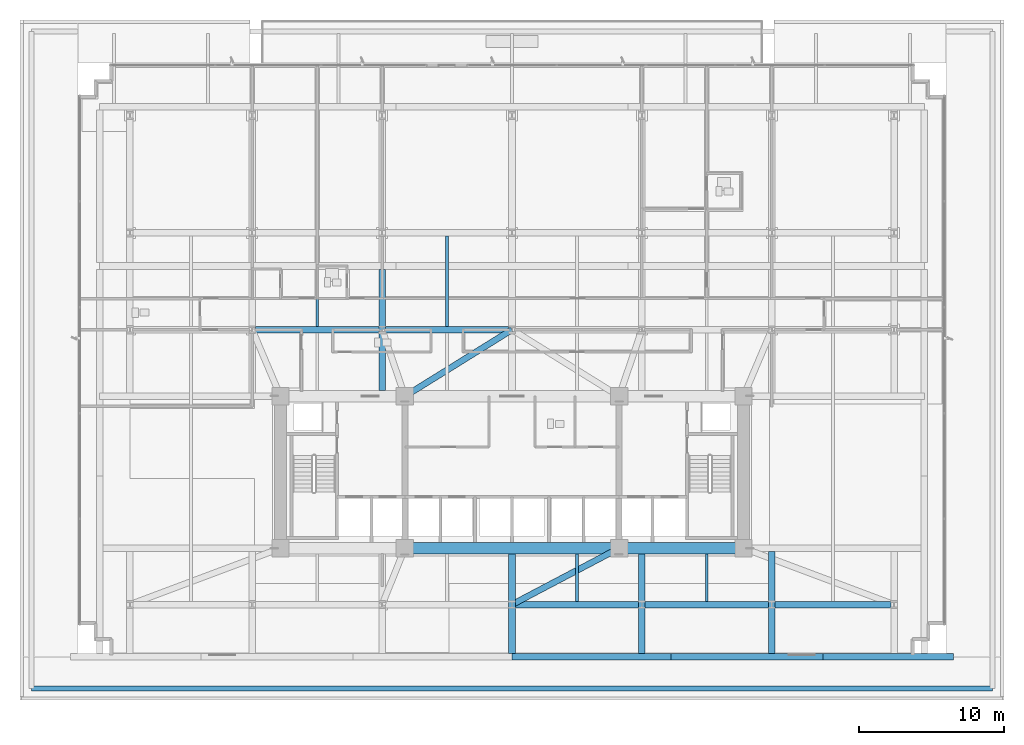
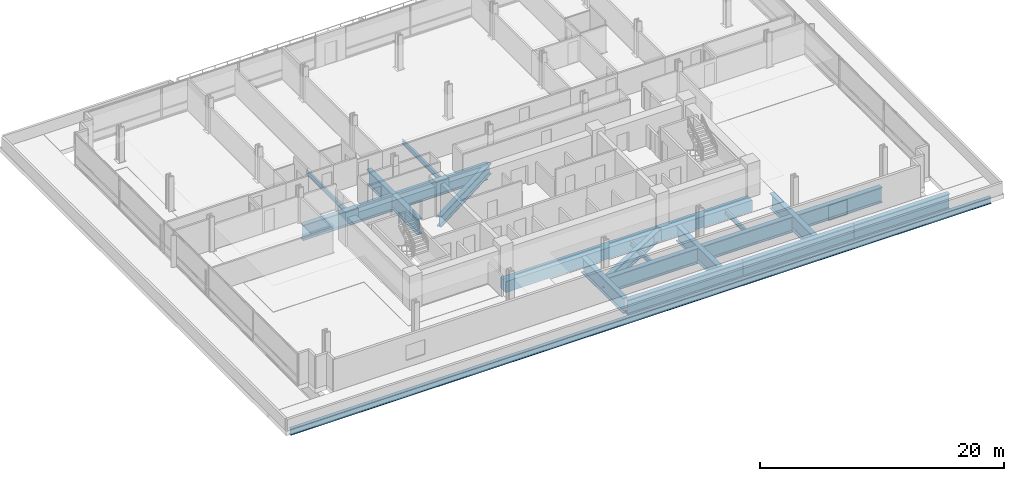
# One storey, part 7 of 25: 21 beams.
"""IFC4 building model written with IfcOpenShell, lengths in metres."""

from ifc_helpers import new_model, si_unit, direction, frame, origin, origin_2d, place, context, subcontext, project, spatial, rectangle, i_section, extrude, material, material_profile, profile_set, type_object, element, save


model = new_model("IFC4")

# Units and contexts
model_context = context("Model", 3, precision=1e-05, world=origin(), true_north=direction((0.0, 1.0)))
body_context = subcontext(model_context, "Body", "Model", "MODEL_VIEW")
ifc_project = project(units=[si_unit("LENGTHUNIT", "METRE"), si_unit("AREAUNIT", "SQUARE_METRE"), si_unit("VOLUMEUNIT", "CUBIC_METRE"), si_unit("PLANEANGLEUNIT", "RADIAN"), si_unit("MASSUNIT", "GRAM", prefix="KILO")], contexts=[model_context])

# Site, building, storey
site_placement = place(None, origin())
site = spatial("IfcSite", under=ifc_project, at=site_placement, CompositionType="ELEMENT")
building_placement = place(site_placement, origin())
building = spatial("IfcBuilding", under=site, at=building_placement, Name="Solmavex Isthmus Hotel", CompositionType="ELEMENT")
storey_placement = place(building_placement, frame((0.0, 0.0, 26.39990234375)))
storey = spatial("IfcBuildingStorey", under=building, at=storey_placement, Name="L06", CompositionType="ELEMENT", Elevation=26.39990234375)

# Beams
ifc_material_1 = material(Name="Steel ASTM A992 Grade 50", Category="steel")
ifc_material_profile_1 = material_profile(ifc_material_1, i_section(OverallWidth=0.1904296875, OverallDepth=0.456787109375, WebThickness=0.009033203125, FlangeThickness=0.014404296875, FilletRadius=0.0126953125, at=origin_2d()), Name="W18X50")
ifc_profile_set_1 = profile_set([ifc_material_profile_1], Name="Steel ASTM A992 Grade 50")
beam_type_1 = type_object("IfcBeamType", Name="BM-BJ-W18X50", PredefinedType="JOIST", material=ifc_profile_set_1)
for number, where, z_axis, x_axis, name in (
    (1, (-13.464111328125, 2.324951171875, -0.678466796875), (0.0, 1.0, 0.0), (-1.0, 0.0, 0.0), "Secondary Floor Joist L06-J05"),
    (2, (-4.488037109375, 2.324951171875, -0.678466796875), (0.0, 1.0, 0.0), (-1.0, 0.0, 0.0), "Secondary Floor Joist L06-J08"),
):
    element("IfcBeam", number, at=place(storey_placement, frame(where, z_axis=z_axis, x_axis=x_axis)), inside=storey, type_object=beam_type_1, Name=name, PredefinedType="JOIST", context=body_context, shape_type="SweptSolid", body=[
        extrude(i_section(OverallWidth=0.1904296875, OverallDepth=0.456787109375, WebThickness=0.009033203125, FlangeThickness=0.014404296875, FilletRadius=0.0126953125, at=origin_2d()), origin(), (0.0, 0.0, 1.0), 6.238037109375),
    ])
for number, where, z_axis, x_axis, name in (
    (3, (4.488037109375, -16.675048828125, -0.678466796875), (0.0, 1.0, 0.0), (-1.0, 0.0, 0.0), "Secondary Floor Joist L06-J09"),
    (4, (13.464111328125, -16.675048828125, -0.678466796875), (0.0, 1.0, 0.0), (-1.0, 0.0, 0.0), "Secondary Floor Joist L06-J12"),
):
    element("IfcBeam", number, at=place(storey_placement, frame(where, z_axis=z_axis, x_axis=x_axis)), inside=storey, type_object=beam_type_1, Name=name, PredefinedType="JOIST", context=body_context, shape_type="SweptSolid", body=[
        extrude(i_section(OverallWidth=0.1904296875, OverallDepth=0.456787109375, WebThickness=0.009033203125, FlangeThickness=0.014404296875, FilletRadius=0.0126953125, at=origin_2d()), origin(), (0.0, 0.0, 1.0), 3.275146484375),
    ])
ifc_material_2 = material(Name="Concrete C70/85", Category="concrete")
ifc_material_profile_2 = material_profile(ifc_material_2, rectangle(XDim=0.800048828125, YDim=1.10009765625, at=origin_2d()), Name="RC800X1100")
ifc_profile_set_2 = profile_set([ifc_material_profile_2], Name="Concrete C70/85")
beam_type_2 = type_object("IfcBeamType", Name="BM-CB-800X1100", PredefinedType="BEAM", material=ifc_profile_set_2)
beam_1_placement = place(storey_placement, frame((-7.39990234375, -13.0, -1.0), z_axis=(1.0, 0.0, 0.0), x_axis=(0.0, 1.0, 0.0)))
element("IfcBeam", 5, at=beam_1_placement, inside=storey, type_object=beam_type_2, Name="Core Coupling Beam L06-CB2", PredefinedType="BEAM", context=body_context, shape_type="SweptSolid", body=[
    extrude(rectangle(XDim=0.800048828125, YDim=1.10009765625, at=origin_2d()), origin(), (0.0, 0.0, 1.0), 14.7998046875),
])
beam_2_placement = place(storey_placement, frame((7.39990234375, -13.0, -1.0), z_axis=(1.0, 0.0, 0.0), x_axis=(0.0, 1.0, 0.0)))
element("IfcBeam", 6, at=beam_2_placement, inside=storey, type_object=beam_type_2, Name="Core Coupling Beam L06-CB3", PredefinedType="BEAM", context=body_context, shape_type="SweptSolid", body=[
    extrude(rectangle(XDim=0.800048828125, YDim=1.10009765625, at=origin_2d()), origin(), (0.0, 0.0, 1.0), 8.60009765625),
])
ifc_material_profile_3 = material_profile(ifc_material_1, i_section(OverallWidth=0.326416015625, OverallDepth=0.621826171875, WebThickness=0.015380859375, FlangeThickness=0.0244140625, FilletRadius=0.01513671875, at=origin_2d()), Name="W24X131")
ifc_profile_set_3 = profile_set([ifc_material_profile_3], Name="Steel ASTM A992 Grade 50")
beam_type_3 = type_object("IfcBeamType", Name="BM-SP-W24X131", PredefinedType="SPANDREL", material=ifc_profile_set_3)
beam_3_placement = place(storey_placement, frame((-33.199951171875, -22.699951171875, -0.7607421875), z_axis=(1.0, 0.0, 0.0), x_axis=(0.0, 1.0, 0.0)))
element("IfcBeam", 7, at=beam_3_placement, inside=storey, type_object=beam_type_3, Name="Podium Roof Edge Girder PR-1", PredefinedType="SPANDREL", context=body_context, shape_type="SweptSolid", body=[
    extrude(i_section(OverallWidth=0.326416015625, OverallDepth=0.621826171875, WebThickness=0.015380859375, FlangeThickness=0.0244140625, FilletRadius=0.01513671875, at=origin_2d()), origin(), (0.0, 0.0, 1.0), 66.39990234375),
])
ifc_material_3 = material(Name="Steel ASTM A572 Grade 50", Category="steel")
ifc_material_profile_4 = material_profile(ifc_material_3, i_section(OverallWidth=0.449951171875, OverallDepth=1.550048828125, WebThickness=0.031982421875, FlangeThickness=0.06494140625, FilletRadius=0.030517578125, at=origin_2d()), Name="I1550X450")
ifc_profile_set_4 = profile_set([ifc_material_profile_4], Name="Steel ASTM A572 Grade 50")
beam_type_4 = type_object("IfcBeamType", Name="BM-TB-G1550", PredefinedType="BEAM", material=ifc_profile_set_4)
beam_4_placement = place(storey_placement, frame((0.0, -20.5, -1.224853515625), z_axis=(1.0, 0.0, 0.0), x_axis=(0.0, 1.0, 0.0)))
element("IfcBeam", 8, at=beam_4_placement, inside=storey, type_object=beam_type_4, Name="Podium-to-Tower Mega Transfer Girder L06-MG04", PredefinedType="BEAM", context=body_context, shape_type="SweptSolid", body=[
    extrude(i_section(OverallWidth=0.449951171875, OverallDepth=1.550048828125, WebThickness=0.031982421875, FlangeThickness=0.06494140625, FilletRadius=0.030517578125, at=origin_2d()), origin(), (0.0, 0.0, 1.0), 11.0),
])
beam_5_placement = place(storey_placement, frame((11.0, -20.5, -1.224853515625), z_axis=(1.0, 0.0, 0.0), x_axis=(0.0, 1.0, 0.0)))
element("IfcBeam", 9, at=beam_5_placement, inside=storey, type_object=beam_type_4, Name="Podium-to-Tower Mega Transfer Girder L06-MG05", PredefinedType="BEAM", context=body_context, shape_type="SweptSolid", body=[
    extrude(i_section(OverallWidth=0.449951171875, OverallDepth=1.550048828125, WebThickness=0.031982421875, FlangeThickness=0.06494140625, FilletRadius=0.030517578125, at=origin_2d()), origin(), (0.0, 0.0, 1.0), 10.5),
])
beam_6_placement = place(storey_placement, frame((21.5, -20.5, -1.224853515625), z_axis=(1.0, 0.0, 0.0), x_axis=(0.0, 1.0, 0.0)))
element("IfcBeam", 10, at=beam_6_placement, inside=storey, type_object=beam_type_4, Name="Podium-to-Tower Mega Transfer Girder L06-MG06", PredefinedType="BEAM", context=body_context, shape_type="SweptSolid", body=[
    extrude(i_section(OverallWidth=0.449951171875, OverallDepth=1.550048828125, WebThickness=0.031982421875, FlangeThickness=0.06494140625, FilletRadius=0.030517578125, at=origin_2d()), origin(), (0.0, 0.0, 1.0), 9.0),
])
beam_7_placement = place(storey_placement, frame((-8.97607421875, -2.10009765625, -1.224853515625), z_axis=(0.0, 1.0, 0.0), x_axis=(-1.0, 0.0, 0.0)))
element("IfcBeam", 11, at=beam_7_placement, inside=storey, type_object=beam_type_4, Name="Tower Column Root Transfer Girder L06-MNS3B", PredefinedType="BEAM", context=body_context, shape_type="SweptSolid", body=[
    extrude(i_section(OverallWidth=0.449951171875, OverallDepth=1.550048828125, WebThickness=0.031982421875, FlangeThickness=0.06494140625, FilletRadius=0.030517578125, at=origin_2d()), origin(), (0.0, 0.0, 1.0), 8.375),
])
for number, where, z_axis, x_axis, name in (
    (12, (0.0, -20.27490234375, -1.224853515625), (0.0, 1.0, 0.0), (-1.0, 0.0, 0.0), "Tower Column Root Transfer Girder L06-MNS4A"),
    (13, (8.97607421875, -20.27490234375, -1.224853515625), (0.0, 1.0, 0.0), (-1.0, 0.0, 0.0), "Tower Column Root Transfer Girder L06-MNS5A"),
):
    element("IfcBeam", number, at=place(storey_placement, frame(where, z_axis=z_axis, x_axis=x_axis)), inside=storey, type_object=beam_type_4, Name=name, PredefinedType="BEAM", context=body_context, shape_type="SweptSolid", body=[
        extrude(i_section(OverallWidth=0.449951171875, OverallDepth=1.550048828125, WebThickness=0.031982421875, FlangeThickness=0.06494140625, FilletRadius=0.030517578125, at=origin_2d()), origin(), (0.0, 0.0, 1.0), 6.875),
    ])
beam_8_placement = place(storey_placement, frame((17.951904296875, -20.27490234375, -1.224853515625), z_axis=(0.0, 1.0, 0.0), x_axis=(-1.0, 0.0, 0.0)))
element("IfcBeam", 14, at=beam_8_placement, inside=storey, type_object=beam_type_4, Name="Tower Column Root Transfer Girder L06-MNS6A", PredefinedType="BEAM", context=body_context, shape_type="SweptSolid", body=[
    extrude(i_section(OverallWidth=0.449951171875, OverallDepth=1.550048828125, WebThickness=0.031982421875, FlangeThickness=0.06494140625, FilletRadius=0.030517578125, at=origin_2d()), origin(), (0.0, 0.0, 1.0), 7.0498046875),
])
beam_9_placement = place(storey_placement, frame((0.22509765625, -16.89990234375, -1.224853515625), z_axis=(1.0, 0.0, 0.0), x_axis=(0.0, 1.0, 0.0)))
element("IfcBeam", 15, at=beam_9_placement, inside=storey, type_object=beam_type_4, Name="Outrigger Collector Girder L06-UG04", PredefinedType="BEAM", context=body_context, shape_type="SweptSolid", body=[
    extrude(i_section(OverallWidth=0.449951171875, OverallDepth=1.550048828125, WebThickness=0.031982421875, FlangeThickness=0.06494140625, FilletRadius=0.030517578125, at=origin_2d()), origin(), (0.0, 0.0, 1.0), 8.52587890625),
])
beam_10_placement = place(storey_placement, frame((9.200927734375, -16.89990234375, -1.224853515625), z_axis=(1.0, 0.0, 0.0), x_axis=(0.0, 1.0, 0.0)))
element("IfcBeam", 16, at=beam_10_placement, inside=storey, type_object=beam_type_4, Name="Outrigger Collector Girder L06-UG05", PredefinedType="BEAM", context=body_context, shape_type="SweptSolid", body=[
    extrude(i_section(OverallWidth=0.449951171875, OverallDepth=1.550048828125, WebThickness=0.031982421875, FlangeThickness=0.06494140625, FilletRadius=0.030517578125, at=origin_2d()), origin(), (0.0, 0.0, 1.0), 8.526123046875),
])
beam_11_placement = place(storey_placement, frame((18.177001953125, -16.89990234375, -1.224853515625), z_axis=(1.0, 0.0, 0.0), x_axis=(0.0, 1.0, 0.0)))
element("IfcBeam", 17, at=beam_11_placement, inside=storey, type_object=beam_type_4, Name="Outrigger Collector Girder L06-UG06", PredefinedType="BEAM", context=body_context, shape_type="SweptSolid", body=[
    extrude(i_section(OverallWidth=0.449951171875, OverallDepth=1.550048828125, WebThickness=0.031982421875, FlangeThickness=0.06494140625, FilletRadius=0.030517578125, at=origin_2d()), origin(), (0.0, 0.0, 1.0), 7.998046875),
])
beam_12_placement = place(storey_placement, frame((-17.72705078125, 2.10009765625, -1.224853515625), z_axis=(1.0, 0.0, 0.0), x_axis=(0.0, 1.0, 0.0)))
element("IfcBeam", 18, at=beam_12_placement, inside=storey, type_object=beam_type_4, Name="Outrigger Collector Girder L06-UG08", PredefinedType="BEAM", context=body_context, shape_type="SweptSolid", body=[
    extrude(i_section(OverallWidth=0.449951171875, OverallDepth=1.550048828125, WebThickness=0.031982421875, FlangeThickness=0.06494140625, FilletRadius=0.030517578125, at=origin_2d()), origin(), (0.0, 0.0, 1.0), 8.526123046875),
])
beam_13_placement = place(storey_placement, frame((-8.7509765625, 2.10009765625, -1.224853515625), z_axis=(1.0, 0.0, 0.0), x_axis=(0.0, 1.0, 0.0)))
element("IfcBeam", 19, at=beam_13_placement, inside=storey, type_object=beam_type_4, Name="Outrigger Collector Girder L06-UG09", PredefinedType="BEAM", context=body_context, shape_type="SweptSolid", body=[
    extrude(i_section(OverallWidth=0.449951171875, OverallDepth=1.550048828125, WebThickness=0.031982421875, FlangeThickness=0.06494140625, FilletRadius=0.030517578125, at=origin_2d()), origin(), (0.0, 0.0, 1.0), 8.52587890625),
])
ifc_material_4 = material(Name="Steel ASTM A913 Grade 65", Category="steel")
ifc_material_profile_5 = material_profile(ifc_material_4, i_section(OverallWidth=0.42431640625, OverallDepth=1.09228515625, WebThickness=0.04541015625, FlangeThickness=0.08203125, FilletRadius=0.030517578125, at=origin_2d()), Name="W40X593")
ifc_profile_set_5 = profile_set([ifc_material_profile_5], Name="Steel ASTM A913 Grade 65")
beam_type_5 = type_object("IfcBeamType", Name="BM-TB-W40X397", PredefinedType="BEAM", material=ifc_profile_set_5)
beam_14_placement = place(storey_placement, frame((-7.39990234375, -2.5, -0.99609375), z_axis=(0.849277176149, 0.527947230386, 0.0), x_axis=(-0.527947230386, 0.849277176149, 0.0)))
element("IfcBeam", 20, at=beam_14_placement, inside=storey, type_object=beam_type_5, Name="Core Outrigger Strut L05-OTCW", PredefinedType="BEAM", context=body_context, shape_type="SweptSolid", body=[
    extrude(i_section(OverallWidth=0.42431640625, OverallDepth=1.09228515625, WebThickness=0.04541015625, FlangeThickness=0.08203125, FilletRadius=0.030517578125, at=origin_2d()), origin(), (0.0, 0.0, 1.0), 8.713134765625),
])
beam_15_placement = place(storey_placement, frame((7.39990234375, -13.0, -0.99609375), z_axis=(-0.884661038517, -0.466234755172, 0.0), x_axis=(0.466234755172, -0.884661038517, 0.0)))
element("IfcBeam", 21, at=beam_15_placement, inside=storey, type_object=beam_type_5, Name="Core Outrigger Strut L05-OTS2", PredefinedType="BEAM", context=body_context, shape_type="SweptSolid", body=[
    extrude(i_section(OverallWidth=0.42431640625, OverallDepth=1.09228515625, WebThickness=0.04541015625, FlangeThickness=0.08203125, FilletRadius=0.030517578125, at=origin_2d()), origin(), (0.0, 0.0, 1.0), 8.36474609375),
])

save(model, "model.ifc")
